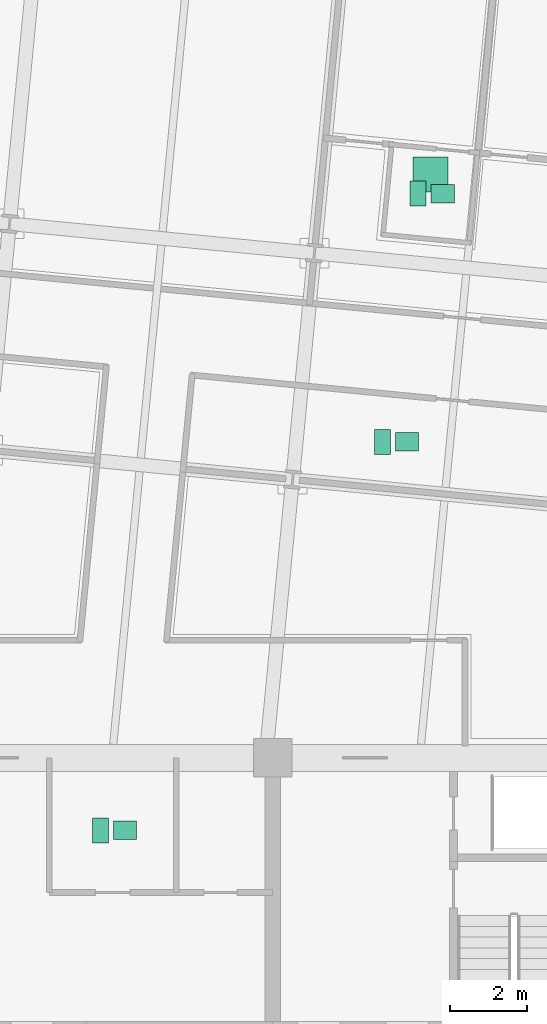
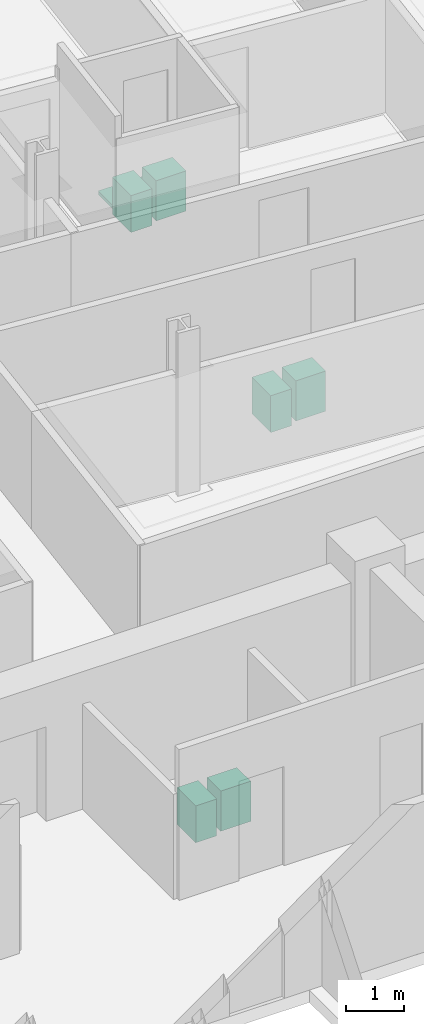
# One storey, part 16 of 16: 7 sanitary terminals.
"""IFC4 building model written with IfcOpenShell, lengths in metres."""

from ifc_helpers import new_model, si_unit, direction, frame, origin, origin_2d, place, context, subcontext, project, spatial, rectangle, extrude, material, type_object, element, save


model = new_model("IFC4")

# Units and contexts
model_context = context("Model", 3, precision=1e-05, world=origin(), true_north=direction((0.0, 1.0)))
body_context = subcontext(model_context, "Body", "Model", "MODEL_VIEW")
ifc_project = project(units=[si_unit("LENGTHUNIT", "METRE"), si_unit("AREAUNIT", "SQUARE_METRE"), si_unit("VOLUMEUNIT", "CUBIC_METRE"), si_unit("PLANEANGLEUNIT", "RADIAN"), si_unit("MASSUNIT", "GRAM", prefix="KILO")], contexts=[model_context])

# Site, building, storey
site_placement = place(None, origin())
site = spatial("IfcSite", under=ifc_project, at=site_placement, CompositionType="ELEMENT")
building_placement = place(site_placement, origin())
building = spatial("IfcBuilding", under=site, at=building_placement, Name="Solmavex Isthmus Hotel", CompositionType="ELEMENT")
storey_placement = place(building_placement, frame((0.0, 0.0, 166.949951171875)))
storey = spatial("IfcBuildingStorey", under=building, at=storey_placement, Name="L45", CompositionType="ELEMENT", Elevation=166.949951171875)

# Sanitary terminals
ifc_material = material(Name="Vitreous china ceramic", Category="ceramic")
sanitary_terminal_type_1 = type_object("IfcSanitaryTerminalType", Name="SAN-BASIN", PredefinedType="WASHHANDBASIN", material=ifc_material)
for number, where, z_axis, x_axis, name in (
    (1, (3.570068359375, -4.385009765625, 0.0), (0.0, 0.0, 1.0), (1.0, 0.0, 0.0), "Vanity Washbasin L45-209"),
    (2, (11.82177734375, 12.151611328125, 0.0), (0.0, 0.0, 1.0), (1.0, 0.0, 0.0), "Vanity Washbasin L45-210"),
    (3, (10.895263671875, 5.702880859375, 0.0), (0.0, 0.0, 1.0), (1.0, 0.0, 0.0), "Vanity Washbasin L45-211"),
):
    element("IfcSanitaryTerminal", number, at=place(storey_placement, frame(where, z_axis=z_axis, x_axis=x_axis)), inside=storey, type_object=sanitary_terminal_type_1, Name=name, PredefinedType="WASHHANDBASIN", context=body_context, shape_type="SweptSolid", body=[
        extrude(rectangle(XDim=0.60009765625, YDim=0.47998046875, at=origin_2d()), origin(), (0.0, 0.0, 1.0), 0.85009765625),
    ])
sanitary_terminal_type_2 = type_object("IfcSanitaryTerminalType", Name="SAN-SHOWER", PredefinedType="SHOWER", material=ifc_material)
sanitary_terminal_placement = place(storey_placement, frame((11.501708984375, 12.651611328125, 0.0), z_axis=(0.0, 0.0, 1.0), x_axis=(1.0, 0.0, 0.0)))
element("IfcSanitaryTerminal", 4, at=sanitary_terminal_placement, inside=storey, type_object=sanitary_terminal_type_2, Name="Walk-In Shower L45-210", PredefinedType="SHOWER", context=body_context, shape_type="SweptSolid", body=[
    extrude(rectangle(XDim=0.89990234375, YDim=0.89990234375, at=origin_2d()), origin(), (0.0, 0.0, 1.0), 0.080078125),
])
sanitary_terminal_type_3 = type_object("IfcSanitaryTerminalType", Name="SAN-WC-SUITE", PredefinedType="TOILETPAN", material=ifc_material)
for number, where, z_axis, x_axis, name in (
    (5, (2.929931640625, -4.385009765625, 0.0), (0.0, 0.0, 1.0), (1.0, 0.0, 0.0), "Water Closet L45-209"),
    (6, (11.181640625, 12.151611328125, 0.0), (0.0, 0.0, 1.0), (1.0, 0.0, 0.0), "Water Closet L45-210"),
    (7, (10.25537109375, 5.702880859375, 0.0), (0.0, 0.0, 1.0), (1.0, 0.0, 0.0), "Water Closet L45-211"),
):
    element("IfcSanitaryTerminal", number, at=place(storey_placement, frame(where, z_axis=z_axis, x_axis=x_axis)), inside=storey, type_object=sanitary_terminal_type_3, Name=name, PredefinedType="TOILETPAN", context=body_context, shape_type="SweptSolid", body=[
        extrude(rectangle(XDim=0.419921875, YDim=0.64990234375, at=origin_2d()), origin(), (0.0, 0.0, 1.0), 0.780029296875),
    ])

save(model, "model.ifc")
